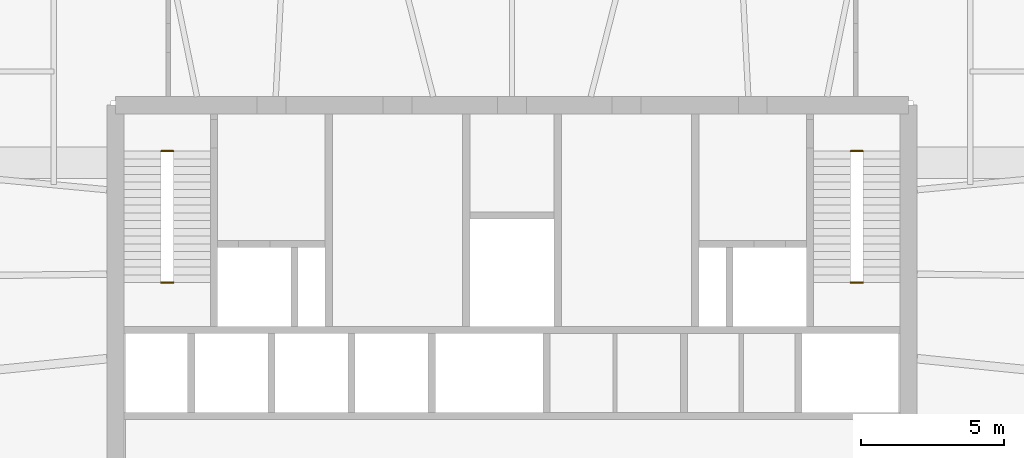
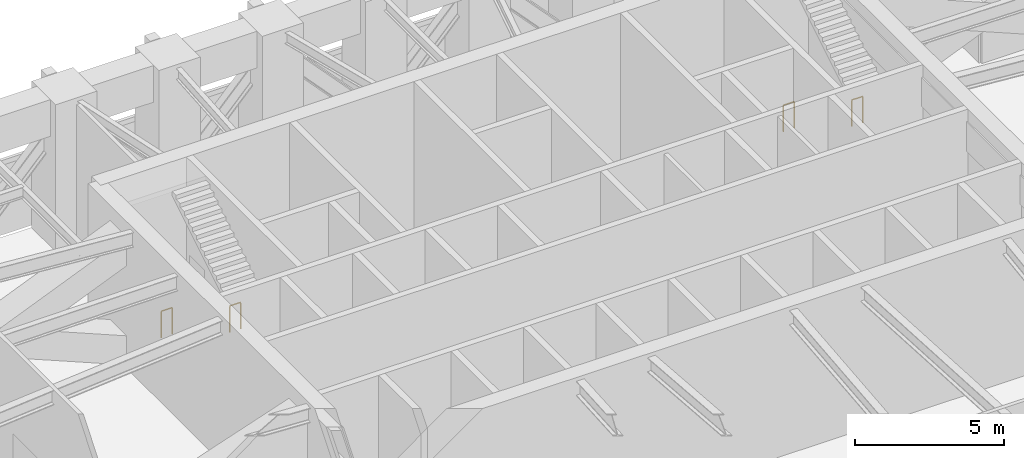
# One storey, part 9 of 9: 4 railings.
"""IFC4 building model written with IfcOpenShell, lengths in metres."""

from ifc_helpers import new_model, si_unit, direction, frame, origin, origin_2d, place, context, subcontext, project, spatial, circle, extrude, material, type_object, element, save


model = new_model("IFC4")

# Units and contexts
model_context = context("Model", 3, precision=1e-05, world=origin(), true_north=direction((0.0, 1.0)))
body_context = subcontext(model_context, "Body", "Model", "MODEL_VIEW")
ifc_project = project(units=[si_unit("LENGTHUNIT", "METRE"), si_unit("AREAUNIT", "SQUARE_METRE"), si_unit("VOLUMEUNIT", "CUBIC_METRE"), si_unit("PLANEANGLEUNIT", "RADIAN"), si_unit("MASSUNIT", "GRAM", prefix="KILO")], contexts=[model_context])

# Site, building, storey
site_placement = place(None, origin())
site = spatial("IfcSite", under=ifc_project, at=site_placement, CompositionType="ELEMENT")
building_placement = place(site_placement, origin())
building = spatial("IfcBuilding", under=site, at=building_placement, Name="Isbrekke Arena Tower", CompositionType="ELEMENT")
storey_placement = place(building_placement, frame((0.0, 0.0, 242.0)))
storey = spatial("IfcBuildingStorey", under=building, at=storey_placement, Name="L56", CompositionType="ELEMENT", Elevation=242.0)

# Railings
ifc_material = material(Name="Steel stair guard, vertical bars, steel handrail", Category="steel")
railing_type = type_object("IfcRailingType", Name="GR3 STAIR WELL GUARD 1100", PredefinedType="GUARDRAIL", material=ifc_material)
for number, where, name in (
    (1, (-12.25, 22.25, 0.0), "GR3 stair well guard ST1 L56"),
    (2, (-12.25, 17.659912109375, 3.0), "GR3 stair well guard ST1 L56"),
    (3, (11.824951171875, 22.25, 0.0), "GR3 stair well guard ST2 L56"),
    (4, (11.824951171875, 17.659912109375, 3.0), "GR3 stair well guard ST2 L56"),
):
    element("IfcRailing", number, at=place(storey_placement, frame(where)), inside=storey, type_object=railing_type, Name=name, PredefinedType="GUARDRAIL", context=body_context, shape_type="SweptSolid", body=[
        extrude(circle(Radius=0.02392578125, at=origin_2d()), frame((0.0, 0.0, 1.076171875), z_axis=(1.0, 0.0, 0.0), x_axis=(0.0, 1.0, 0.0)), (0.0, 0.0, 1.0), 0.425048828125),
        extrude(circle(Radius=0.02099609375, at=origin_2d()), origin(), (0.0, 0.0, 1.0), 1.052001953125),
        extrude(circle(Radius=0.02099609375, at=origin_2d()), frame((0.425048828125, 0.0, 0.0)), (0.0, 0.0, 1.0), 1.052001953125),
    ])

save(model, "model.ifc")
